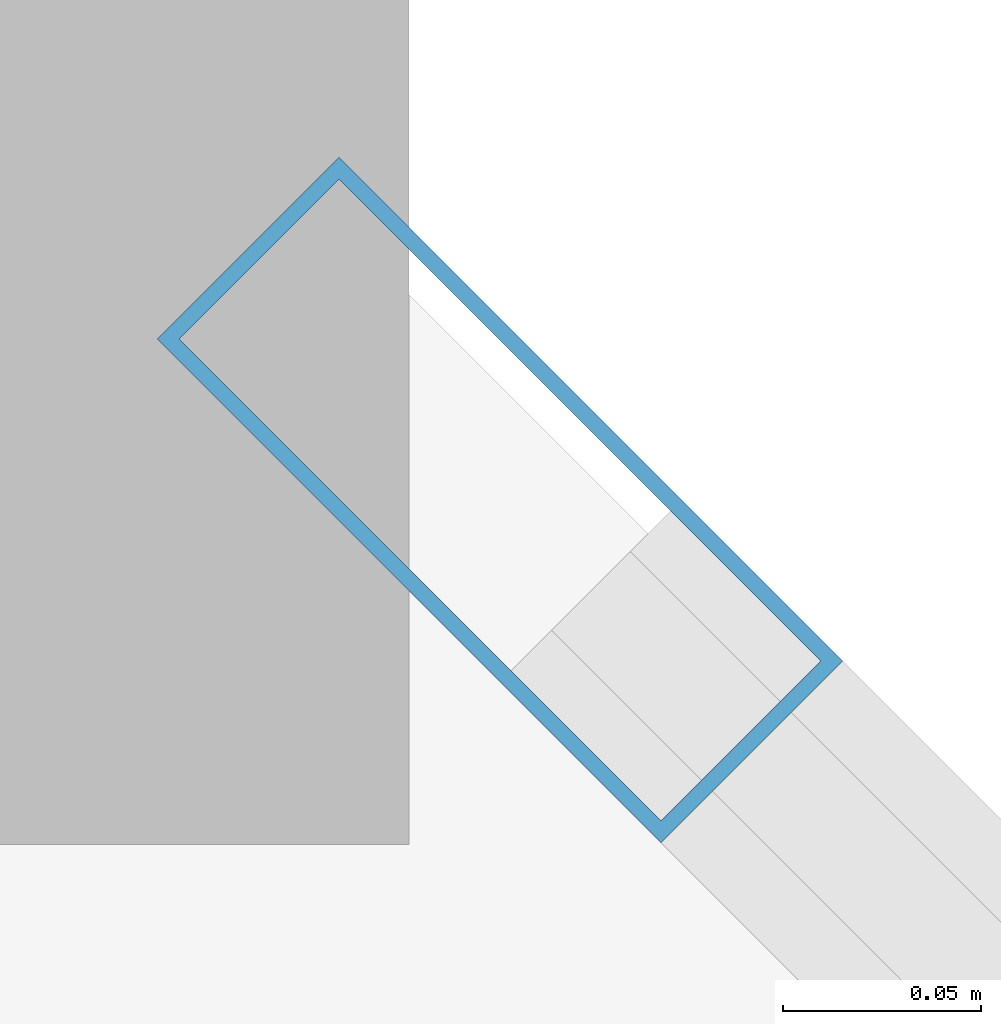
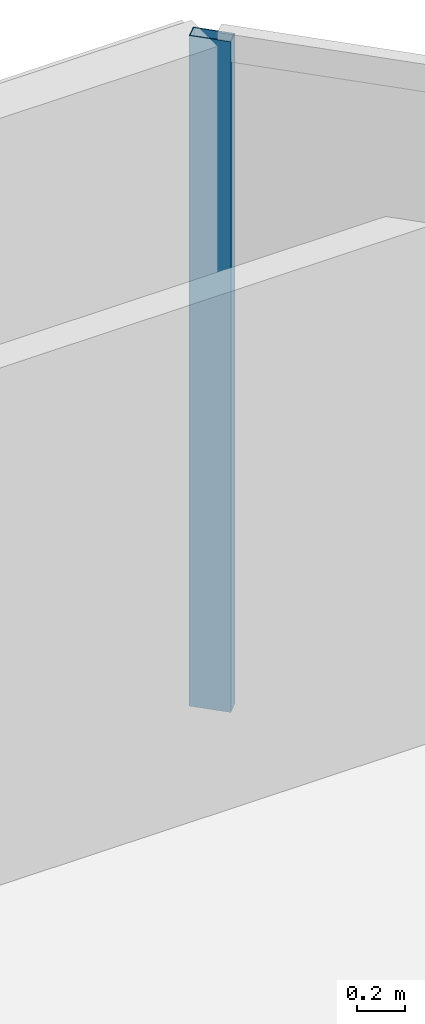
# One storey, part 13 of 19: 1 member, 1 element without a shape of its own.
"""IFC4 building model written with IfcOpenShell, lengths in metres."""

from ifc_helpers import new_model, si_unit, direction, frame, origin, origin_2d, place, context, subcontext, project, spatial, hollow_rectangle, extrude, material, layer, layer_set, material_profile, profile_set, type_object, element, aggregate, save


model = new_model("IFC4")

# Units and contexts
model_context = context("Model", 3, precision=1e-05, world=origin(), true_north=direction((0.0, 1.0)))
body_context = subcontext(model_context, "Body", "Model", "MODEL_VIEW")
ifc_project = project(units=[si_unit("LENGTHUNIT", "METRE"), si_unit("AREAUNIT", "SQUARE_METRE"), si_unit("VOLUMEUNIT", "CUBIC_METRE"), si_unit("PLANEANGLEUNIT", "RADIAN"), si_unit("MASSUNIT", "GRAM", prefix="KILO")], contexts=[model_context])

# Site, building, storey
site_placement = place(None, origin())
site = spatial("IfcSite", under=ifc_project, at=site_placement, CompositionType="ELEMENT")
building_placement = place(site_placement, origin())
building = spatial("IfcBuilding", under=site, at=building_placement, Name="Tanjung Sevakor Pilgrim Tower", CompositionType="ELEMENT")
storey_placement = place(building_placement, frame((0.0, 0.0, 260.699951171875)))
storey = spatial("IfcBuildingStorey", under=building, at=storey_placement, Name="L73", CompositionType="ELEMENT", Elevation=260.699951171875)

# Curtain wall, member
ifc_material_1 = material(Name="Aluminium 6063-T6 and Low-E Glass", Category="aluminium")
ifc_layer = layer(ifc_material_1, 0.179931640625)
ifc_layer_set = layer_set([ifc_layer], Name="CW-SYS-CHAM")
curtain_wall_type = type_object("IfcCurtainWallType", Name="CW-SYS-CHAM", PredefinedType="NOTDEFINED", material=ifc_layer_set)
curtain_wall_placement = place(storey_placement, origin())
curtain_wall = element("IfcCurtainWall", 1, at=curtain_wall_placement, inside=storey, type_object=curtain_wall_type, Name="L73 Curtain Wall CW-CHM-L73-EAST-3", PredefinedType="NOTDEFINED")
ifc_material_2 = material(Name="Aluminium 6063-T6", Category="aluminium")
ifc_material_profile = material_profile(ifc_material_2, hollow_rectangle(XDim=0.06494140625, YDim=0.179931640625, WallThickness=0.00390625, at=origin_2d()))
ifc_profile_set = profile_set([ifc_material_profile], Name="Aluminium 6063-T6")
member_type = type_object("IfcMemberType", Name="TYPE-CWM-1", PredefinedType="MULLION", material=ifc_profile_set)
member_placement = place(storey_placement, frame((94.77734375, 54.866943359375, 0.0), z_axis=(0.0, 0.0, 1.0), x_axis=(-0.707106781187, -0.707106781187, 0.0)))
member = element("IfcMember", 2, at=member_placement, type_object=member_type, Name="CW-CHM mullion 2", PredefinedType="MULLION", context=body_context, shape_type="SweptSolid", body=[
    extrude(hollow_rectangle(XDim=0.06494140625, YDim=0.179931640625, WallThickness=0.00390625, at=origin_2d()), origin(), (0.0, 0.0, 1.0), 3.41015625),
])
aggregate(curtain_wall, [member])

save(model, "model.ifc")
